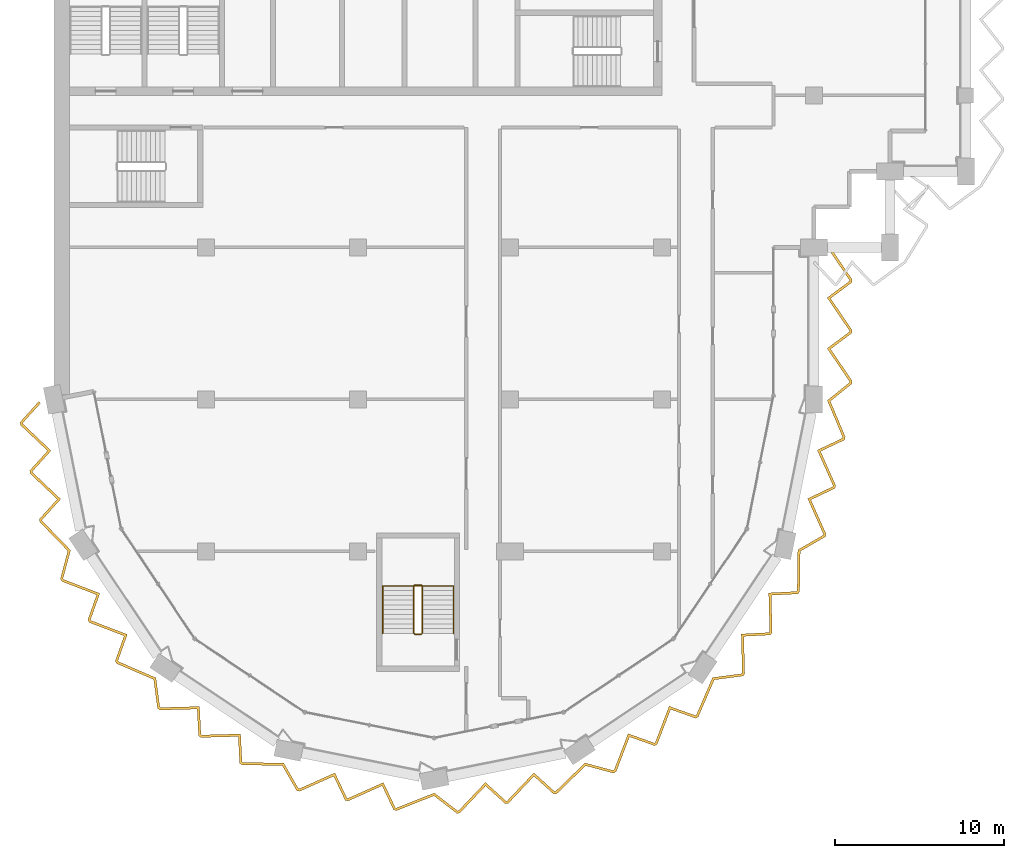
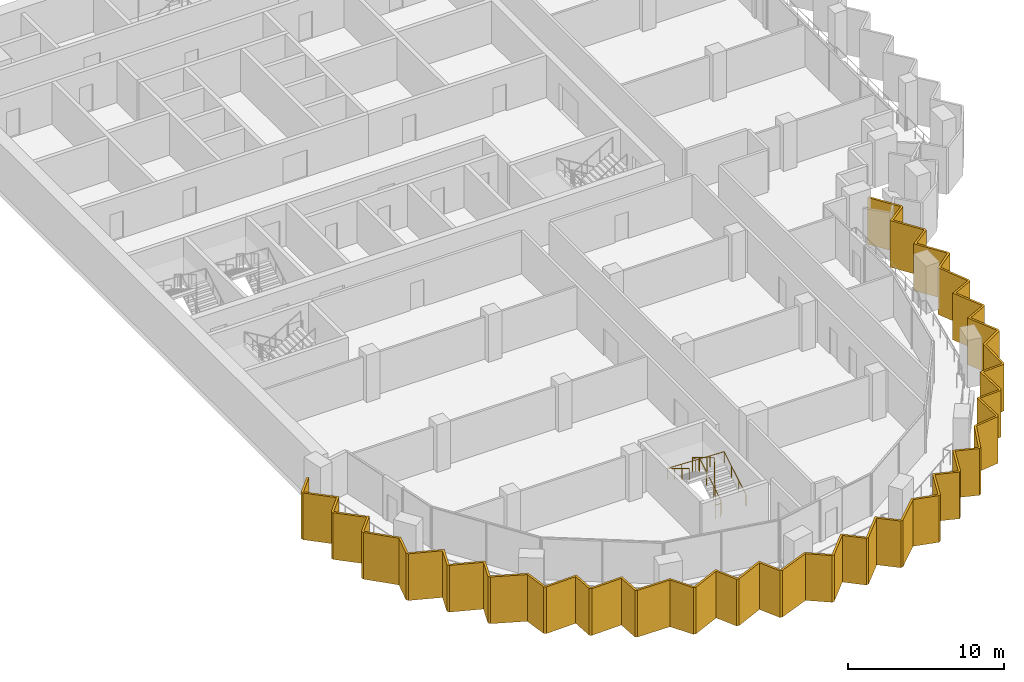
# One storey, part 13 of 16: 2 railings, 1 shading device.
"""IFC4 building model written with IfcOpenShell, lengths in metres."""

from ifc_helpers import new_model, si_unit, direction, frame, origin, origin_2d, place, context, subcontext, project, spatial, polyline, circle, outline, extrude, material, layer, layer_set, type_object, element, save


model = new_model("IFC4")

# Units and contexts
model_context = context("Model", 3, precision=1e-05, world=origin(), true_north=direction((0.0, 1.0)))
body_context = subcontext(model_context, "Body", "Model", "MODEL_VIEW")
ifc_project = project(units=[si_unit("LENGTHUNIT", "METRE"), si_unit("AREAUNIT", "SQUARE_METRE"), si_unit("VOLUMEUNIT", "CUBIC_METRE"), si_unit("PLANEANGLEUNIT", "RADIAN"), si_unit("MASSUNIT", "GRAM", prefix="KILO")], contexts=[model_context])

# Site, building, storey
site_placement = place(None, origin())
site = spatial("IfcSite", under=ifc_project, at=site_placement, CompositionType="ELEMENT")
building_placement = place(site_placement, origin())
building = spatial("IfcBuilding", under=site, at=building_placement, Name="Hunhe Ridgeline Campus", CompositionType="ELEMENT")
storey_placement = place(building_placement, frame((0.0, 0.0, 239.199951171875)))
storey = spatial("IfcBuildingStorey", under=building, at=storey_placement, Name="L61", CompositionType="ELEMENT", Elevation=239.199951171875)

# Shading device
ifc_material_1 = material(Name="Concrete C50", Category="concrete")
ifc_layer = layer(ifc_material_1, 0.14990234375)
ifc_layer_set = layer_set([ifc_layer], Name="Sawtooth concrete fin 150 Concrete C50")
shading_device_type = type_object("IfcShadingDeviceType", Name="Sawtooth concrete fin 150 Concrete C50", PredefinedType="USERDEFINED", material=ifc_layer_set)
shading_device_placement = place(storey_placement, frame((0.0, 0.0, -0.949951171875)))
element("IfcShadingDevice", 1, at=shading_device_placement, inside=storey, type_object=shading_device_type, Name="Concrete fin screen 1", ObjectType="FIN", PredefinedType="USERDEFINED", context=body_context, shape_type="SweptSolid", body=[
    extrude(outline(polyline([(-0.802490234375, 44.779052734375), (-0.913818359375, 44.879638671875), (-2.025146484375, 43.6484375), (-1.98974609375, 43.470458984375), (-0.39208984375, 41.955078125), (-1.454345703125, 40.7783203125), (-1.4189453125, 40.600341796875), (0.178955078125, 39.0849609375), (-0.883544921875, 37.908203125), (-0.848388671875, 37.73193359375), (0.80517578125, 36.026611328125), (0.36083984375, 34.36279296875), (0.459716796875, 34.215087890625), (2.515869140625, 33.426513671875), (1.984619140625, 31.932861328125), (2.08544921875, 31.781982421875), (4.1416015625, 30.993408203125), (3.6103515625, 29.49951171875), (3.710205078125, 29.35009765625), (5.890380859375, 28.4072265625), (6.11669921875, 26.7001953125), (6.2646484375, 26.6015625), (8.466064453125, 26.659912109375), (8.546875, 25.07666015625), (8.69775390625, 24.975830078125), (10.899169921875, 25.0341796875), (10.97998046875, 23.45068359375), (11.129638671875, 23.350830078125), (13.504638671875, 23.314208984375), (14.366943359375, 21.82373046875), (14.541259765625, 21.7890625), (16.552734375, 22.685302734375), (17.2333984375, 21.25341796875), (17.411376953125, 21.218017578125), (19.4228515625, 22.114501953125), (20.103515625, 20.6826171875), (20.27978515625, 20.6474609375), (22.488037109375, 21.5224609375), (23.855224609375, 20.4755859375), (24.029541015625, 20.51025390625), (25.544921875, 22.10791015625), (26.7216796875, 21.045654296875), (26.899658203125, 21.0810546875), (28.4150390625, 22.678955078125), (29.591796875, 21.616455078125), (29.76806640625, 21.651611328125), (31.473388671875, 23.30517578125), (33.13720703125, 22.86083984375), (33.284912109375, 22.959716796875), (34.073486328125, 25.015869140625), (35.567138671875, 24.484619140625), (35.718017578125, 24.58544921875), (36.506591796875, 26.6416015625), (38.00048828125, 26.1103515625), (38.14990234375, 26.210205078125), (39.0927734375, 28.390380859375), (40.7998046875, 28.61669921875), (40.8984375, 28.7646484375), (40.840087890625, 30.966064453125), (42.42333984375, 31.046875), (42.524169921875, 31.19775390625), (42.4658203125, 33.399169921875), (44.04931640625, 33.47998046875), (44.149169921875, 33.629638671875), (44.185791015625, 36.004638671875), (45.67626953125, 36.866943359375), (45.7109375, 37.041259765625), (44.814697265625, 39.052734375), (46.24658203125, 39.7333984375), (46.281982421875, 39.911376953125), (45.385498046875, 41.9228515625), (46.8173828125, 42.603515625), (46.8525390625, 42.780517578125), (45.9658203125, 44.89111328125), (47.25, 45.932373046875), (47.25, 46.111083984375), (45.9775390625, 47.982666015625), (47.25, 48.930419921875), (47.25, 49.111083984375), (45.9775390625, 50.982666015625), (47.25, 51.930419921875), (47.25, 52.111083984375), (45.93701171875, 54.042236328125), (45.81298828125, 53.957763671875), (47.10009765625, 52.06494140625), (47.10009765625, 52.005859375), (45.7724609375, 51.017333984375), (47.10009765625, 49.06494140625), (47.10009765625, 49.005859375), (45.7724609375, 48.017333984375), (47.10009765625, 46.06494140625), (47.10009765625, 46.00390625), (45.7841796875, 44.9365234375), (46.696533203125, 42.764892578125), (46.68505859375, 42.70654296875), (45.18896484375, 41.99560546875), (46.12548828125, 39.893798828125), (46.114013671875, 39.83642578125), (44.6181640625, 39.125244140625), (45.5546875, 37.023681640625), (45.54248046875, 36.962646484375), (44.037109375, 36.091796875), (43.999755859375, 33.676025390625), (43.96630859375, 33.6259765625), (42.31201171875, 33.54150390625), (42.373046875, 31.241455078125), (42.340576171875, 31.19287109375), (40.686279296875, 31.1083984375), (40.747314453125, 28.808349609375), (40.712646484375, 28.756591796875), (38.98876953125, 28.528076171875), (38.02978515625, 26.310546875), (37.979736328125, 26.277099609375), (36.4189453125, 26.83203125), (35.59521484375, 24.68359375), (35.546630859375, 24.651123046875), (33.98583984375, 25.2060546875), (33.161865234375, 23.057861328125), (33.1103515625, 23.0234375), (31.43017578125, 23.471923828125), (29.695556640625, 21.7900390625), (29.636474609375, 21.7783203125), (28.406982421875, 22.888427734375), (26.82373046875, 21.218994140625), (26.766357421875, 21.20751953125), (25.536865234375, 22.3173828125), (23.95361328125, 20.64794921875), (23.892578125, 20.6357421875), (22.511962890625, 21.693115234375), (20.265625, 20.80322265625), (20.20654296875, 20.81494140625), (19.49560546875, 22.31103515625), (17.393798828125, 21.37451171875), (17.33642578125, 21.385986328125), (16.625244140625, 22.8818359375), (14.523681640625, 21.9453125), (14.462646484375, 21.95751953125), (13.591796875, 23.462890625), (11.176025390625, 23.500244140625), (11.1259765625, 23.53369140625), (11.04150390625, 25.18798828125), (8.741455078125, 25.126953125), (8.69287109375, 25.159423828125), (8.6083984375, 26.813720703125), (6.308349609375, 26.752685546875), (6.256591796875, 26.787353515625), (6.028076171875, 28.51123046875), (3.810546875, 29.47021484375), (3.777099609375, 29.520263671875), (4.33203125, 31.0810546875), (2.18359375, 31.90478515625), (2.151123046875, 31.953369140625), (2.7060546875, 33.51416015625), (0.557861328125, 34.338134765625), (0.5234375, 34.3896484375), (0.971923828125, 36.06982421875), (-0.7099609375, 37.804443359375), (-0.7216796875, 37.863525390625), (0.388427734375, 39.093017578125), (-1.281005859375, 40.67626953125), (-1.29248046875, 40.733642578125), (-0.1826171875, 41.963134765625), (-1.85205078125, 43.54638671875), (-1.863525390625, 43.603759765625), (-0.802490234375, 44.779052734375)])), origin(), (0.0, 0.0, 1.0), 3.64990234375),
])

# Railings
ifc_material_2 = material(Name="Stainless steel balustrade", Category="steel")
railing_type_1 = type_object("IfcRailingType", Name="Stair guard 1100 stainless", PredefinedType="GUARDRAIL", material=ifc_material_2)
railing_1_placement = place(storey_placement, frame((21.800048828125, 31.14990234375, 0.168212890625)))
element("IfcRailing", 2, at=railing_1_placement, inside=storey, type_object=railing_type_1, Name="L61 stair W3 guard", PredefinedType="GUARDRAIL", context=body_context, shape_type="SweptSolid", body=[
    extrude(circle(Radius=0.02392578125, at=origin_2d()), frame((0.0, 0.0, 1.076171875), z_axis=(0.0, 0.857242210791, 0.514913383045), x_axis=(-1.0, 0.0, 0.0)), (0.0, 0.0, 1.0), 3.266357421875),
    extrude(circle(Radius=0.02392578125, at=origin_2d()), frame((0.0, 2.800048828125, 2.7578125), z_axis=(-0.707106781187, 0.707106781187, 0.0), x_axis=(-0.707106781187, -0.707106781187, 0.0)), (0.0, 0.0, 1.0), 0.07080078125),
    extrude(circle(Radius=0.02392578125, at=origin_2d()), frame((-0.050048828125, 2.85009765625, 2.7578125), z_axis=(-1.0, 0.0, 0.0), x_axis=(0.0, -1.0, 0.0)), (0.0, 0.0, 1.0), 0.39990234375),
    extrude(circle(Radius=0.02392578125, at=origin_2d()), frame((-0.449951171875, 2.85009765625, 2.7578125), z_axis=(-0.274243871929, -0.274243871929, 0.92172696468), x_axis=(0.707106781187, -0.707106781187, 0.0)), (0.0, 0.0, 1.0), 0.1826171875),
    extrude(circle(Radius=0.02392578125, at=origin_2d()), frame((-0.5, 2.800048828125, 2.92626953125), z_axis=(0.0, -0.857275202839, 0.514858452973), x_axis=(1.0, 0.0, 0.0)), (0.0, 0.0, 1.0), 3.26611328125),
    extrude(circle(Radius=0.02392578125, at=origin_2d()), frame((-0.5, 0.0, 4.60791015625), z_axis=(0.013524426427, -0.013458453615, -0.999817963389), x_axis=(0.705375805398, 0.708833529934, 0.0)), (0.0, 0.0, 1.0), 3.70068359375),
    extrude(circle(Radius=0.02392578125, at=origin_2d()), frame((-0.449951171875, -0.0498046875, 0.90771484375), z_axis=(1.0, 0.0, 0.0), x_axis=(0.0, 1.0, 0.0)), (0.0, 0.0, 1.0), 0.39990234375),
    extrude(circle(Radius=0.02099609375, at=origin_2d()), origin(), (0.0, 0.0, 1.0), 1.052001953125),
    extrude(circle(Radius=0.02099609375, at=origin_2d()), frame((0.0, 0.933349609375, 0.560546875)), (0.0, 0.0, 1.0), 1.052001953125),
    extrude(circle(Radius=0.02099609375, at=origin_2d()), frame((0.0, 1.86669921875, 1.121337890625)), (0.0, 0.0, 1.0), 1.052001953125),
    extrude(circle(Radius=0.02099609375, at=origin_2d()), frame((0.0, 2.800048828125, 1.681884765625)), (0.0, 0.0, 1.0), 1.052001953125),
    extrude(circle(Radius=0.02099609375, at=origin_2d()), frame((-0.050048828125, 2.85009765625, 1.681884765625)), (0.0, 0.0, 1.0), 1.052001953125),
    extrude(circle(Radius=0.02099609375, at=origin_2d()), frame((-0.449951171875, 2.85009765625, 1.681884765625)), (0.0, 0.0, 1.0), 1.052001953125),
    extrude(circle(Radius=0.02099609375, at=origin_2d()), frame((-0.5, 2.800048828125, 1.85009765625)), (0.0, 0.0, 1.0), 1.052001953125),
    extrude(circle(Radius=0.02099609375, at=origin_2d()), frame((-0.5, 1.86669921875, 2.41064453125)), (0.0, 0.0, 1.0), 1.052001953125),
    extrude(circle(Radius=0.02099609375, at=origin_2d()), frame((-0.5, 0.933349609375, 2.97119140625)), (0.0, 0.0, 1.0), 1.052001953125),
    extrude(circle(Radius=0.02099609375, at=origin_2d()), frame((-0.5, 0.0, 3.53173828125)), (0.0, 0.0, 1.0), 1.052001953125),
    extrude(circle(Radius=0.02099609375, at=origin_2d()), frame((-0.487548828125, -0.012451171875, 2.606689453125)), (0.0, 0.0, 1.0), 1.052001953125),
    extrude(circle(Radius=0.02099609375, at=origin_2d()), frame((-0.47509765625, -0.02490234375, 1.681640625)), (0.0, 0.0, 1.0), 1.052001953125),
    extrude(circle(Radius=0.02099609375, at=origin_2d()), frame((-0.46240234375, -0.037353515625, 0.7568359375)), (0.0, 0.0, 1.0), 1.052001953125),
    extrude(circle(Radius=0.02099609375, at=origin_2d()), frame((-0.449951171875, -0.0498046875, -0.168212890625)), (0.0, 0.0, 1.0), 1.052001953125),
    extrude(circle(Radius=0.02099609375, at=origin_2d()), frame((-0.050048828125, -0.0498046875, -0.168212890625)), (0.0, 0.0, 1.0), 1.052001953125),
])
ifc_material_3 = material(Name="Stainless steel handrail", Category="steel")
railing_type_2 = type_object("IfcRailingType", Name="Stair handrail 900 stainless", PredefinedType="HANDRAIL", material=ifc_material_3)
railing_2_placement = place(storey_placement, frame((23.64990234375, 31.14990234375, 0.168212890625)))
element("IfcRailing", 3, at=railing_2_placement, inside=storey, type_object=railing_type_2, Name="L61 stair W3 handrail", PredefinedType="HANDRAIL", context=body_context, shape_type="SweptSolid", body=[
    extrude(circle(Radius=0.02392578125, at=origin_2d()), frame((0.0, 0.0, 0.8759765625), z_axis=(0.0, 0.857242210791, 0.514913383045), x_axis=(-1.0, 0.0, 0.0)), (0.0, 0.0, 1.0), 3.266357421875),
    extrude(circle(Radius=0.02392578125, at=origin_2d()), frame((0.0, 2.800048828125, 2.5576171875), z_axis=(-0.999198916169, 0.0, 0.040019069537), x_axis=(0.0, -1.0, 0.0)), (0.0, 0.0, 1.0), 4.203369140625),
    extrude(circle(Radius=0.02392578125, at=origin_2d()), frame((-4.199951171875, 2.800048828125, 2.72607421875), z_axis=(0.0, -0.857275202839, 0.514858452973), x_axis=(1.0, 0.0, 0.0)), (0.0, 0.0, 1.0), 3.26611328125),
    extrude(circle(Radius=0.02099609375, at=origin_2d()), origin(), (0.0, 0.0, 1.0), 0.851806640625),
    extrude(circle(Radius=0.02099609375, at=origin_2d()), frame((0.0, 0.933349609375, 0.560546875)), (0.0, 0.0, 1.0), 0.851806640625),
    extrude(circle(Radius=0.02099609375, at=origin_2d()), frame((0.0, 1.86669921875, 1.121337890625)), (0.0, 0.0, 1.0), 0.851806640625),
    extrude(circle(Radius=0.02099609375, at=origin_2d()), frame((0.0, 2.800048828125, 1.681884765625)), (0.0, 0.0, 1.0), 0.851806640625),
    extrude(circle(Radius=0.02099609375, at=origin_2d()), frame((-1.050048828125, 2.800048828125, 1.723876953125)), (0.0, 0.0, 1.0), 0.851806640625),
    extrude(circle(Radius=0.02099609375, at=origin_2d()), frame((-2.10009765625, 2.800048828125, 1.76611328125)), (0.0, 0.0, 1.0), 0.851806640625),
    extrude(circle(Radius=0.02099609375, at=origin_2d()), frame((-3.14990234375, 2.800048828125, 1.80810546875)), (0.0, 0.0, 1.0), 0.851806640625),
    extrude(circle(Radius=0.02099609375, at=origin_2d()), frame((-4.199951171875, 2.800048828125, 1.85009765625)), (0.0, 0.0, 1.0), 0.851806640625),
    extrude(circle(Radius=0.02099609375, at=origin_2d()), frame((-4.199951171875, 1.86669921875, 2.41064453125)), (0.0, 0.0, 1.0), 0.851806640625),
    extrude(circle(Radius=0.02099609375, at=origin_2d()), frame((-4.199951171875, 0.933349609375, 2.97119140625)), (0.0, 0.0, 1.0), 0.851806640625),
    extrude(circle(Radius=0.02099609375, at=origin_2d()), frame((-4.199951171875, 0.0, 3.53173828125)), (0.0, 0.0, 1.0), 0.851806640625),
])

save(model, "model.ifc")
